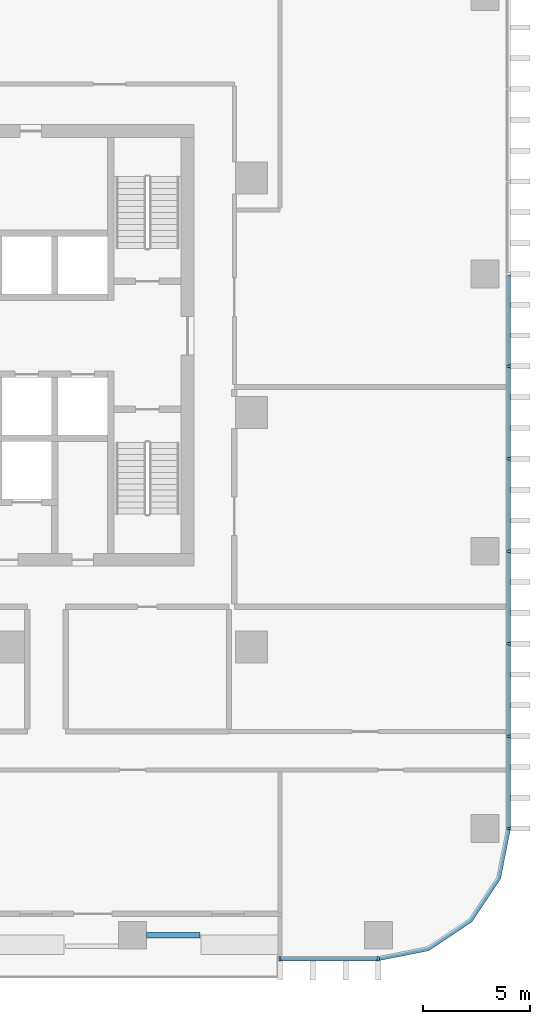
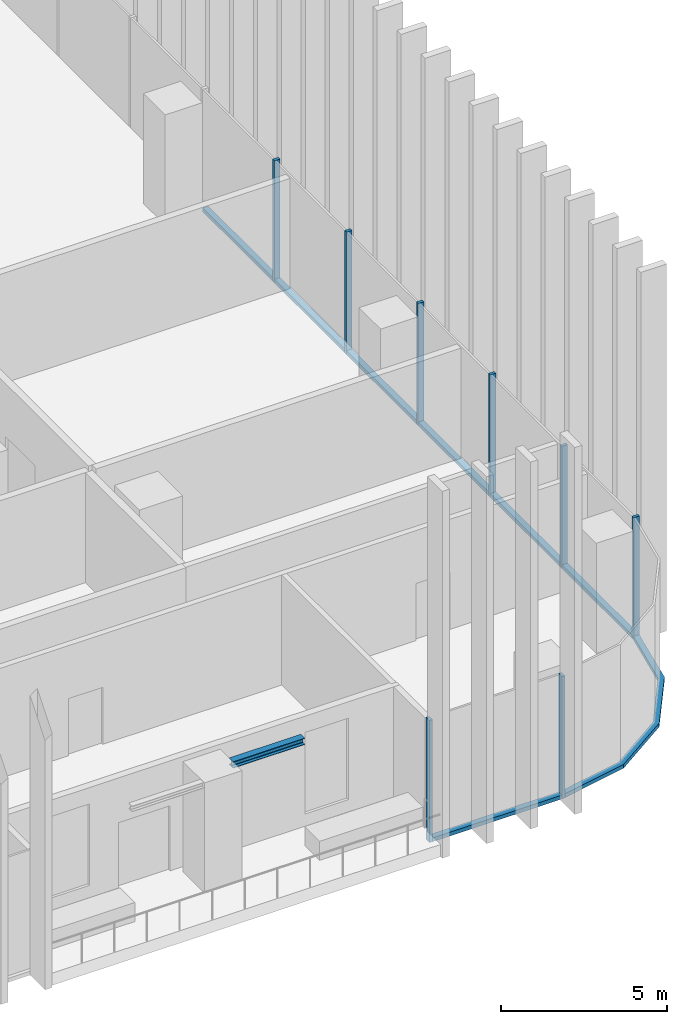
# One storey, part 3 of 17: 16 members, 1 beam, 3 elements without a shape of their own.
"""IFC4 building model written with IfcOpenShell, lengths in metres."""

import ifcopenshell
import ifcopenshell.guid

model = None  # the IFC model being written
_history = None  # IfcOwnerHistory: only IFC2X3 demands one
_inside = {}  # id of a spatial element -> (the spatial element, [elements in it])
_under = {}  # id of a project, library or spatial element -> (it, [spatial elements below it])
_declared = {}  # id of a project -> (the project, [libraries it declares])
_typed = {}  # id of a type object -> (the type object, [elements of that type])
_made_of = {}  # id of a material, layer set ... -> (it, [elements and type objects made of it])


def new_model(schema):
    """Start an empty IFC model of exactly this schema.

    Asked for "IFC4X3", IfcOpenShell would pick the latest addendum, in which some entities
    have other attributes; the version numbers below select the first issue.
    IFC2X3 requires an IfcOwnerHistory on every rooted entity: one is made here for all.
    """
    global model, _history
    if schema == "IFC4X3":
        model = ifcopenshell.file(schema_version=(4, 3, 0, 0))
    else:
        model = ifcopenshell.file(schema=schema)
    _inside.clear()
    _under.clear()
    _declared.clear()
    _typed.clear()
    _made_of.clear()
    _history = None
    if model.schema == "IFC2X3":
        org = make("IfcOrganization", Name="unknown")
        user = make(
            "IfcPersonAndOrganization",
            ThePerson=make("IfcPerson", FamilyName="unknown"),
            TheOrganization=org,
        )
        app = make(
            "IfcApplication",
            ApplicationDeveloper=org,
            Version="unknown",
            ApplicationFullName="unknown",
            ApplicationIdentifier="unknown",
        )
        _history = make(
            "IfcOwnerHistory",
            OwningUser=user,
            OwningApplication=app,
            ChangeAction="ADDED",
            CreationDate=0,
        )
    return model


def make(cls, **values):
    """One entity of the class cls with the attributes given. An attribute that is None is left unset."""
    return model.create_entity(
        cls, **{name: value for name, value in values.items() if value is not None}
    )


def rooted(cls, **values):
    """An entity with a GlobalId (a new one), such as an element, a storey or a relation."""
    return make(cls, GlobalId=ifcopenshell.guid.new(), OwnerHistory=_history, **values)


def si_unit(unit_type, name, prefix=None):
    """IfcSIUnit, for example si_unit("LENGTHUNIT", "METRE", prefix="MILLI")."""
    return make("IfcSIUnit", UnitType=unit_type, Prefix=prefix, Name=name)


def assignment(units):
    """IfcUnitAssignment: the units of a project."""
    return None if units is None else make("IfcUnitAssignment", Units=units)


def point(xyz):
    """IfcCartesianPoint."""
    return None if xyz is None else make("IfcCartesianPoint", Coordinates=xyz)


def direction(xyz):
    """IfcDirection."""
    return None if xyz is None else make("IfcDirection", DirectionRatios=xyz)


def frame(location, z_axis=None, x_axis=None):
    """IfcAxis2Placement3D, a coordinate frame: its origin and axes. An axis left out is left unset."""
    return make(
        "IfcAxis2Placement3D",
        Location=point(location),
        Axis=direction(z_axis),
        RefDirection=direction(x_axis),
    )


def frame_2d(location, x_axis=None):
    """IfcAxis2Placement2D, a coordinate frame in the plane: its origin and x axis."""
    return make(
        "IfcAxis2Placement2D", Location=point(location), RefDirection=direction(x_axis)
    )


def origin():
    """The frame at (0, 0, 0) with its axes left unset."""
    return frame((0.0, 0.0, 0.0))


def origin_2d():
    """The frame at (0, 0) in the plane with its x axis left unset."""
    return frame_2d((0.0, 0.0))


def place(relative_to, where):
    """IfcLocalPlacement: puts the frame where relative to a parent placement (None: the world)."""
    return make(
        "IfcLocalPlacement", PlacementRelTo=relative_to, RelativePlacement=where
    )


def context(
    kind, dimensions, precision=None, world=None, true_north=None, identifier=None
):
    """IfcGeometricRepresentationContext, for example the 3D "Model" context."""
    return make(
        "IfcGeometricRepresentationContext",
        ContextIdentifier=identifier,
        ContextType=kind,
        CoordinateSpaceDimension=dimensions,
        Precision=precision,
        WorldCoordinateSystem=world,
        TrueNorth=true_north,
    )


def subcontext(parent, identifier, kind, view, scale=None):
    """IfcGeometricRepresentationSubContext, for example "Body" below "Model"."""
    return make(
        "IfcGeometricRepresentationSubContext",
        ContextIdentifier=identifier,
        ContextType=kind,
        ParentContext=parent,
        TargetScale=scale,
        TargetView=view,
    )


def project(units=None, contexts=None):
    """IfcProject with its units and contexts."""
    return rooted(
        "IfcProject",
        Name="project",
        RepresentationContexts=contexts,
        UnitsInContext=assignment(units),
    )


def spatial(cls, under=None, at=None, **own):
    """A site, building, storey or space (cls), placed at a placement, below another one or the project."""
    s = rooted(cls, ObjectPlacement=at, **own)
    if under is not None:
        _under.setdefault(under.id(), (under, []))[1].append(s)
    return s


def polyline(points):
    """IfcPolyline through the points."""
    return make("IfcPolyline", Points=[point(p) for p in points])


def profile(cls, at=None, kind="AREA", **sizes):
    """A parametric profile (cls). Its sizes go by their IFC names, for example OverallWidth=200.0."""
    return make(cls, ProfileType=kind, Position=at, **sizes)


def rectangle(**sizes):
    """IfcRectangleProfileDef."""
    return profile("IfcRectangleProfileDef", **sizes)


def i_section(**sizes):
    """IfcIShapeProfileDef."""
    return profile("IfcIShapeProfileDef", **sizes)


def outline(outer, holes=None, kind="AREA"):
    """IfcArbitraryClosedProfileDef: a profile drawn as a closed curve; with holes, ...WithVoids."""
    if holes is None:
        return make("IfcArbitraryClosedProfileDef", ProfileType=kind, OuterCurve=outer)
    return make(
        "IfcArbitraryProfileDefWithVoids",
        ProfileType=kind,
        OuterCurve=outer,
        InnerCurves=holes,
    )


def extrude(swept, where, along, depth):
    """IfcExtrudedAreaSolid: the profile swept, set in the frame where, extruded along a direction by depth."""
    return make(
        "IfcExtrudedAreaSolid",
        SweptArea=swept,
        Position=where,
        ExtrudedDirection=direction(along),
        Depth=depth,
    )


def shape(context_of_items, identifier, shape_type, items):
    """IfcShapeRepresentation: the items that make up one representation, for example the "Body"."""
    return make(
        "IfcShapeRepresentation",
        ContextOfItems=context_of_items,
        RepresentationIdentifier=identifier,
        RepresentationType=shape_type,
        Items=items,
    )


def material(Name=None, Category=None):
    """IfcMaterial."""
    return make("IfcMaterial", Name=Name, Category=Category)


def material_profile(
    of_material, cross_section, Name=None, Category=None, Priority=None
):
    """IfcMaterialProfile: a cross section and its material."""
    return make(
        "IfcMaterialProfile",
        Name=Name,
        Material=of_material,
        Profile=cross_section,
        Priority=Priority,
        Category=Category,
    )


def profile_set(profiles, Name=None, composite=None):
    """IfcMaterialProfileSet."""
    return make(
        "IfcMaterialProfileSet",
        Name=Name,
        MaterialProfiles=profiles,
        CompositeProfile=composite,
    )


def made_of(thing, what):
    """Note that an element or type object is made of a material, layer set ...; save() writes the relation."""
    if what is not None:
        _made_of.setdefault(what.id(), (what, []))[1].append(thing)
    return thing


def type_object(cls, material=None, **own):
    """A type object (cls), such as IfcWallType, which elements share."""
    return made_of(rooted(cls, **own), material)


def element(
    cls,
    number,
    at=None,
    inside=None,
    cuts=None,
    type_object=None,
    material=None,
    context=None,
    identifier="Body",
    shape_type=None,
    held_by="IfcProductDefinitionShape",
    body=None,
    shapes=None,
    **own,
):
    """One element of the class cls, such as IfcWall. Its Tag is "e" and its number.

    at: its placement. inside: the storey or other place that contains it. cuts: it is an
    opening in that element (IfcRelVoidsElement). A single representation is given by context,
    identifier, shape_type and body (its items); several are given by shapes. held_by: the class
    of the entity that holds the representations. save() writes the other relations.
    """
    e = rooted(cls, Tag="e%d" % number, ObjectPlacement=at, **own)
    if body is not None:
        shapes = [shape(context, identifier, shape_type, body)]
    if shapes is not None:
        e.Representation = make(held_by, Representations=shapes)
    if inside is not None:
        _inside.setdefault(inside.id(), (inside, []))[1].append(e)
    if cuts is not None:
        rooted(
            "IfcRelVoidsElement", RelatingBuildingElement=cuts, RelatedOpeningElement=e
        )
    if type_object is not None:
        _typed.setdefault(type_object.id(), (type_object, []))[1].append(e)
    return made_of(e, material)


def aggregate(whole, parts):
    """IfcRelAggregates: a whole, such as a stair, and the parts it consists of."""
    return rooted("IfcRelAggregates", RelatingObject=whole, RelatedObjects=parts)


def save(model, path):
    """Write the relations noted so far, then the file.

    IfcRelAggregates (storeys below a building ...), IfcRelContainedInSpatialStructure (elements
    in a storey), IfcRelDefinesByType, IfcRelAssociatesMaterial and IfcRelDeclares: one each for
    every whole, place, type object, material and project.
    """
    for whole, parts in _under.values():
        aggregate(whole, parts)
    for where, things in _inside.values():
        rooted(
            "IfcRelContainedInSpatialStructure",
            RelatedElements=things,
            RelatingStructure=where,
        )
    for kind, things in _typed.values():
        rooted("IfcRelDefinesByType", RelatedObjects=things, RelatingType=kind)
    for what, things in _made_of.values():
        rooted("IfcRelAssociatesMaterial", RelatedObjects=things, RelatingMaterial=what)
    for by, libraries in _declared.values():
        rooted("IfcRelDeclares", RelatingContext=by, RelatedDefinitions=libraries)
    model.write(path)


model = new_model("IFC4")

# Units and contexts
model_context = context("Model", 3, precision=1e-05, world=origin(), true_north=direction((0.0, 1.0)))
body_context = subcontext(model_context, "Body", "Model", "MODEL_VIEW")
ifc_project = project(units=[si_unit("LENGTHUNIT", "METRE"), si_unit("AREAUNIT", "SQUARE_METRE"), si_unit("VOLUMEUNIT", "CUBIC_METRE"), si_unit("PLANEANGLEUNIT", "RADIAN"), si_unit("MASSUNIT", "GRAM", prefix="KILO")], contexts=[model_context])

# Site, building, storey
site_placement = place(None, origin())
site = spatial("IfcSite", under=ifc_project, at=site_placement, CompositionType="ELEMENT")
building_placement = place(site_placement, origin())
building = spatial("IfcBuilding", under=site, at=building_placement, Name="Mopane Tessera Tower", CompositionType="ELEMENT")
storey_placement = place(building_placement, frame((0.0, 0.0, 108.10009765625)))
storey = spatial("IfcBuildingStorey", under=building, at=storey_placement, Name="L21", CompositionType="ELEMENT", Elevation=108.10009765625)

# Curtain wall, members
ifc_material_1 = material(Name="Aluminium frame", Category="aluminium")
curtain_wall_type = type_object("IfcCurtainWallType", Name="Lower tower unitised wall", PredefinedType="NOTDEFINED", material=ifc_material_1)
curtain_wall_1_placement = place(storey_placement, origin())
curtain_wall_1 = element("IfcCurtainWall", 1, at=curtain_wall_1_placement, inside=storey, type_object=curtain_wall_type, Name="e:cw:L21:S:9", PredefinedType="NOTDEFINED")
ifc_material_2 = material(Name="Aluminium frame", Category="aluminium")
ifc_material_profile_1 = material_profile(ifc_material_2, rectangle(XDim=0.110107421875, YDim=0.199951171875, at=origin_2d()))
ifc_profile_set_1 = profile_set([ifc_material_profile_1], Name="Aluminium frame")
member_type_1 = type_object("IfcMemberType", Name="Aluminium mullion 110 x 200", PredefinedType="MULLION", material=ifc_profile_set_1)
member_1_placement = place(storey_placement, frame((18.43994140625, -25.60009765625, -0.4501953125), z_axis=(0.0, 0.0, 1.0), x_axis=(1.0, 0.0, 0.0)))
member_1 = element("IfcMember", 2, at=member_1_placement, type_object=member_type_1, Name="e:cw:L21:S:9:mu9", PredefinedType="MULLION", context=body_context, shape_type="SweptSolid", body=[
    extrude(rectangle(XDim=0.110107421875, YDim=0.199951171875, at=origin_2d()), origin(), (0.0, 0.0, 1.0), 4.5),
])
member_2_placement = place(storey_placement, frame((23.050048828125, -25.60009765625, -0.4501953125), z_axis=(0.0, 0.0, 1.0), x_axis=(1.0, 0.0, 0.0)))
member_2 = element("IfcMember", 3, at=member_2_placement, type_object=member_type_1, Name="e:cw:L21:S:9:mu10", PredefinedType="MULLION", context=body_context, shape_type="SweptSolid", body=[
    extrude(rectangle(XDim=0.110107421875, YDim=0.199951171875, at=origin_2d()), origin(), (0.0, 0.0, 1.0), 4.5),
])

curtain_wall_2_placement = place(storey_placement, origin())
curtain_wall_2 = element("IfcCurtainWall", 4, at=curtain_wall_2_placement, inside=storey, type_object=curtain_wall_type, Name="e:cw:L21:E:0", PredefinedType="NOTDEFINED")
member_3_placement = place(storey_placement, frame((29.14990234375, -19.5, -0.4501953125), z_axis=(0.0, 0.0, 1.0), x_axis=(0.0, 1.0, 0.0)))
member_3 = element("IfcMember", 5, at=member_3_placement, type_object=member_type_1, Name="e:cw:L21:E:0:mu0", PredefinedType="MULLION", context=body_context, shape_type="SweptSolid", body=[
    extrude(rectangle(XDim=0.110107421875, YDim=0.199951171875, at=origin_2d()), origin(), (0.0, 0.0, 1.0), 4.5),
])
member_4_placement = place(storey_placement, frame((29.14990234375, -15.166748046875, -0.4501953125), z_axis=(0.0, 0.0, 1.0), x_axis=(0.0, 1.0, 0.0)))
member_4 = element("IfcMember", 6, at=member_4_placement, type_object=member_type_1, Name="e:cw:L21:E:0:mu1", PredefinedType="MULLION", context=body_context, shape_type="SweptSolid", body=[
    extrude(rectangle(XDim=0.110107421875, YDim=0.199951171875, at=origin_2d()), origin(), (0.0, 0.0, 1.0), 4.5),
])
member_5_placement = place(storey_placement, frame((29.14990234375, -10.833251953125, -0.4501953125), z_axis=(0.0, 0.0, 1.0), x_axis=(0.0, 1.0, 0.0)))
member_5 = element("IfcMember", 7, at=member_5_placement, type_object=member_type_1, Name="e:cw:L21:E:0:mu2", PredefinedType="MULLION", context=body_context, shape_type="SweptSolid", body=[
    extrude(rectangle(XDim=0.110107421875, YDim=0.199951171875, at=origin_2d()), origin(), (0.0, 0.0, 1.0), 4.5),
])
member_6_placement = place(storey_placement, frame((29.14990234375, -6.5, -0.4501953125), z_axis=(0.0, 0.0, 1.0), x_axis=(0.0, 1.0, 0.0)))
member_6 = element("IfcMember", 8, at=member_6_placement, type_object=member_type_1, Name="e:cw:L21:E:0:mu3", PredefinedType="MULLION", context=body_context, shape_type="SweptSolid", body=[
    extrude(rectangle(XDim=0.110107421875, YDim=0.199951171875, at=origin_2d()), origin(), (0.0, 0.0, 1.0), 4.5),
])
member_7_placement = place(storey_placement, frame((29.14990234375, -2.166748046875, -0.4501953125), z_axis=(0.0, 0.0, 1.0), x_axis=(0.0, 1.0, 0.0)))
member_7 = element("IfcMember", 9, at=member_7_placement, type_object=member_type_1, Name="e:cw:L21:E:0:mu4", PredefinedType="MULLION", context=body_context, shape_type="SweptSolid", body=[
    extrude(rectangle(XDim=0.110107421875, YDim=0.199951171875, at=origin_2d()), origin(), (0.0, 0.0, 1.0), 4.5),
])
member_8_placement = place(storey_placement, frame((29.14990234375, 2.166748046875, -0.4501953125), z_axis=(0.0, 0.0, 1.0), x_axis=(0.0, 1.0, 0.0)))
member_8 = element("IfcMember", 10, at=member_8_placement, type_object=member_type_1, Name="e:cw:L21:E:0:mu5", PredefinedType="MULLION", context=body_context, shape_type="SweptSolid", body=[
    extrude(rectangle(XDim=0.110107421875, YDim=0.199951171875, at=origin_2d()), origin(), (0.0, 0.0, 1.0), 4.5),
])

# Member
ifc_material_3 = material(Name="Aluminium frame", Category="aluminium")
ifc_material_profile_2 = material_profile(ifc_material_3, rectangle(XDim=0.199951171875, YDim=0.139892578125, at=origin_2d()))
ifc_profile_set_2 = profile_set([ifc_material_profile_2], Name="Aluminium frame")
member_type_2 = type_object("IfcMemberType", Name="Aluminium transom 200 x 140", PredefinedType="USERDEFINED", material=ifc_profile_set_2)
member_9_placement = place(storey_placement, frame((18.4951171875, -25.60009765625, -0.380126953125), z_axis=(1.0, 0.0, 0.0), x_axis=(0.0, 1.0, 0.0)))
member_9 = element("IfcMember", 11, at=member_9_placement, type_object=member_type_2, Name="e:cw:L21:S:9:tr9", ObjectType="TRANSOM", PredefinedType="USERDEFINED", context=body_context, shape_type="SweptSolid", body=[
    extrude(rectangle(XDim=0.199951171875, YDim=0.139892578125, at=origin_2d()), origin(), (0.0, 0.0, 1.0), 4.5),
])

aggregate(curtain_wall_1, [member_1, member_2, member_9])

# Curtain wall, member
curtain_wall_3_placement = place(storey_placement, origin())
curtain_wall_3 = element("IfcCurtainWall", 12, at=curtain_wall_3_placement, inside=storey, type_object=curtain_wall_type, Name="e:cw:L21:CS", PredefinedType="NOTDEFINED")
member_10_placement = place(storey_placement, frame((0.0, 0.0, -0.4501953125)))
member_10 = element("IfcMember", 13, at=member_10_placement, type_object=member_type_2, Name="e:cw:L21:CS:tr", ObjectType="TRANSOM", PredefinedType="USERDEFINED", context=body_context, shape_type="SweptSolid", body=[
    extrude(outline(polyline([(23.050048828125, -25.5), (25.34619140625, -25.043212890625), (27.292724609375, -23.74267578125), (28.59326171875, -21.796142578125), (29.050048828125, -19.5), (29.25, -19.5), (28.778076171875, -21.87255859375), (27.43408203125, -23.884033203125), (25.422607421875, -25.22802734375), (23.050048828125, -25.699951171875), (23.050048828125, -25.5)])), origin(), (0.0, 0.0, 1.0), 0.14013671875),
])
aggregate(curtain_wall_3, [member_10])

# Member
member_11_placement = place(storey_placement, frame((29.14990234375, -19.445068359375, -0.380126953125), z_axis=(0.0, 1.0, 0.0), x_axis=(-1.0, 0.0, 0.0)))
member_11 = element("IfcMember", 14, at=member_11_placement, type_object=member_type_2, Name="e:cw:L21:E:0:tr0", ObjectType="TRANSOM", PredefinedType="USERDEFINED", context=body_context, shape_type="SweptSolid", body=[
    extrude(rectangle(XDim=0.199951171875, YDim=0.139892578125, at=origin_2d()), origin(), (0.0, 0.0, 1.0), 4.223388671875),
])

member_12_placement = place(storey_placement, frame((29.14990234375, -15.111572265625, -0.380126953125), z_axis=(0.0, 1.0, 0.0), x_axis=(-1.0, 0.0, 0.0)))
member_12 = element("IfcMember", 15, at=member_12_placement, type_object=member_type_2, Name="e:cw:L21:E:0:tr1", ObjectType="TRANSOM", PredefinedType="USERDEFINED", context=body_context, shape_type="SweptSolid", body=[
    extrude(rectangle(XDim=0.199951171875, YDim=0.139892578125, at=origin_2d()), origin(), (0.0, 0.0, 1.0), 4.22314453125),
])

member_13_placement = place(storey_placement, frame((29.14990234375, -10.7783203125, -0.380126953125), z_axis=(0.0, 1.0, 0.0), x_axis=(-1.0, 0.0, 0.0)))
member_13 = element("IfcMember", 16, at=member_13_placement, type_object=member_type_2, Name="e:cw:L21:E:0:tr2", ObjectType="TRANSOM", PredefinedType="USERDEFINED", context=body_context, shape_type="SweptSolid", body=[
    extrude(rectangle(XDim=0.199951171875, YDim=0.139892578125, at=origin_2d()), origin(), (0.0, 0.0, 1.0), 4.223388671875),
])

member_14_placement = place(storey_placement, frame((29.14990234375, -6.445068359375, -0.380126953125), z_axis=(0.0, 1.0, 0.0), x_axis=(-1.0, 0.0, 0.0)))
member_14 = element("IfcMember", 17, at=member_14_placement, type_object=member_type_2, Name="e:cw:L21:E:0:tr3", ObjectType="TRANSOM", PredefinedType="USERDEFINED", context=body_context, shape_type="SweptSolid", body=[
    extrude(rectangle(XDim=0.199951171875, YDim=0.139892578125, at=origin_2d()), origin(), (0.0, 0.0, 1.0), 4.223388671875),
])

member_15_placement = place(storey_placement, frame((29.14990234375, -2.111572265625, -0.380126953125), z_axis=(0.0, 1.0, 0.0), x_axis=(-1.0, 0.0, 0.0)))
member_15 = element("IfcMember", 18, at=member_15_placement, type_object=member_type_2, Name="e:cw:L21:E:0:tr4", ObjectType="TRANSOM", PredefinedType="USERDEFINED", context=body_context, shape_type="SweptSolid", body=[
    extrude(rectangle(XDim=0.199951171875, YDim=0.139892578125, at=origin_2d()), origin(), (0.0, 0.0, 1.0), 4.22314453125),
])

member_16_placement = place(storey_placement, frame((29.14990234375, 2.2216796875, -0.380126953125), z_axis=(0.0, 1.0, 0.0), x_axis=(-1.0, 0.0, 0.0)))
member_16 = element("IfcMember", 19, at=member_16_placement, type_object=member_type_2, Name="e:cw:L21:E:0:tr5", ObjectType="TRANSOM", PredefinedType="USERDEFINED", context=body_context, shape_type="SweptSolid", body=[
    extrude(rectangle(XDim=0.199951171875, YDim=0.139892578125, at=origin_2d()), origin(), (0.0, 0.0, 1.0), 4.223388671875),
])

aggregate(curtain_wall_2, [member_3, member_4, member_5, member_6, member_7, member_8, member_11, member_12, member_13, member_14, member_15, member_16])

# Beam
ifc_material_4 = material(Name="Structural steel S460", Category="steel")
ifc_material_profile_3 = material_profile(ifc_material_4, i_section(OverallWidth=0.239990234375, OverallDepth=0.239990234375, WebThickness=0.010009765625, FlangeThickness=0.01708984375, FilletRadius=0.02099609375, at=origin_2d()))
ifc_profile_set_3 = profile_set([ifc_material_profile_3], Name="Structural steel S460")
beam_type = type_object("IfcBeamType", Name="Terrace spandrel beam HE 240 B", PredefinedType="SPANDREL", material=ifc_profile_set_3)
beam_placement = place(storey_placement, frame((12.177978515625, -24.5, 3.929931640625), z_axis=(1.0, 0.0, 0.0), x_axis=(0.0, 1.0, 0.0)))
element("IfcBeam", 20, at=beam_placement, inside=storey, type_object=beam_type, Name="Terrace spandrel beam N3 L22", PredefinedType="SPANDREL", context=body_context, shape_type="SweptSolid", body=[
    extrude(i_section(OverallWidth=0.239990234375, OverallDepth=0.239990234375, WebThickness=0.010009765625, FlangeThickness=0.01708984375, FilletRadius=0.02099609375, at=origin_2d()), origin(), (0.0, 0.0, 1.0), 2.5),
])

save(model, "model.ifc")
